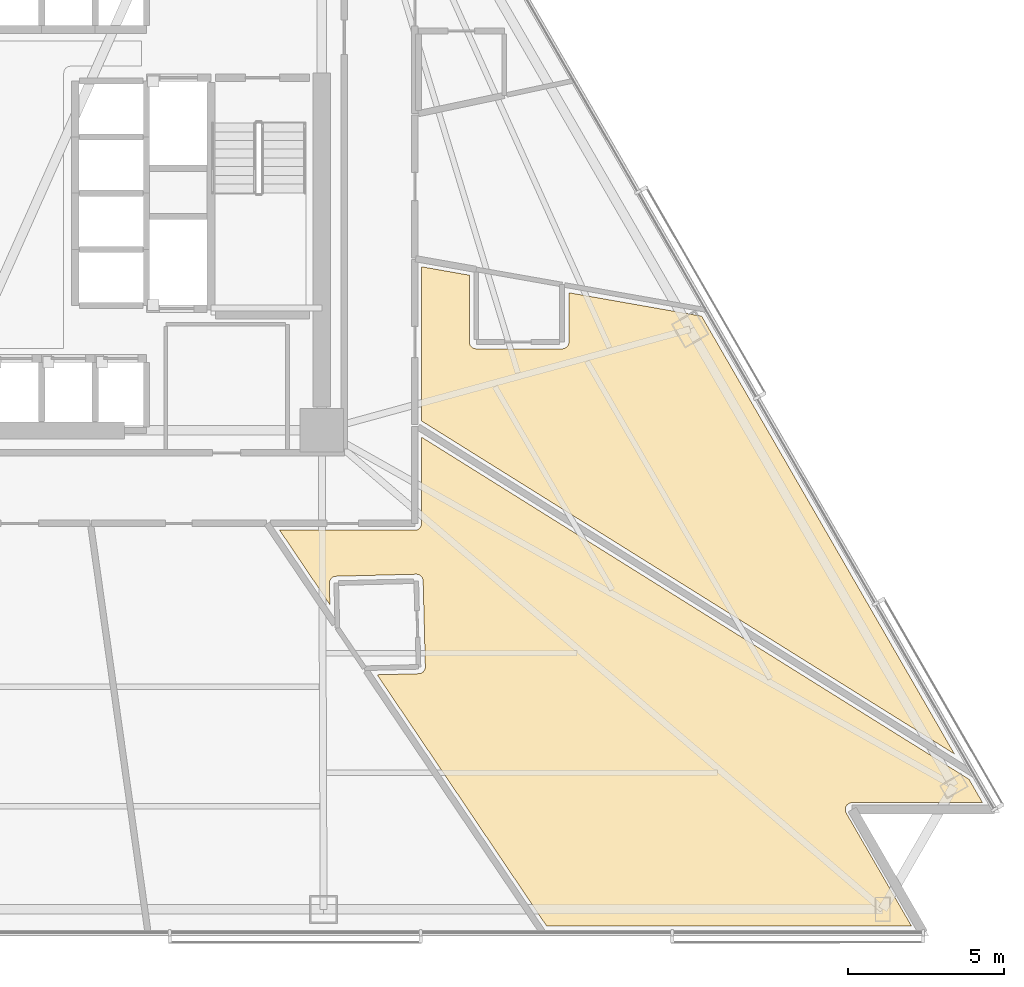
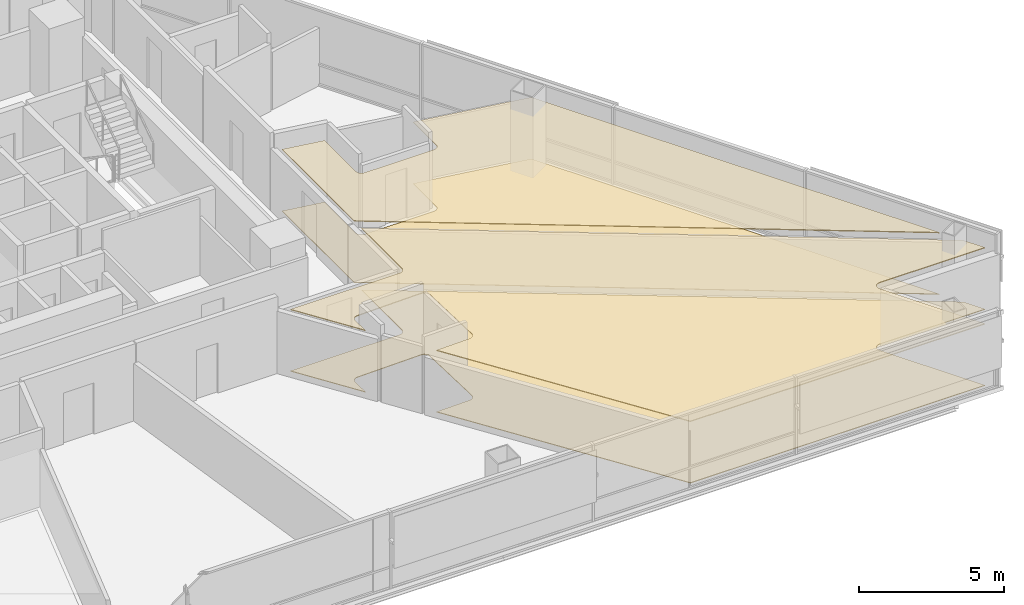
# One storey, part 16 of 17: 4 coverings.
"""IFC4 building model written with IfcOpenShell, lengths in metres."""

from ifc_helpers import new_model, si_unit, direction, frame, origin, place, context, subcontext, project, spatial, polyline, outline, extrude, material, layer, layer_set, type_object, element, save


model = new_model("IFC4")

# Units and contexts
model_context = context("Model", 3, precision=1e-05, world=origin(), true_north=direction((0.0, 1.0)))
body_context = subcontext(model_context, "Body", "Model", "MODEL_VIEW")
ifc_project = project(units=[si_unit("LENGTHUNIT", "METRE"), si_unit("AREAUNIT", "SQUARE_METRE"), si_unit("VOLUMEUNIT", "CUBIC_METRE"), si_unit("PLANEANGLEUNIT", "RADIAN"), si_unit("MASSUNIT", "GRAM", prefix="KILO")], contexts=[model_context])

# Site, building, storey
site_placement = place(None, origin())
site = spatial("IfcSite", under=ifc_project, at=site_placement, CompositionType="ELEMENT")
building_placement = place(site_placement, origin())
building = spatial("IfcBuilding", under=site, at=building_placement, Name="Tharavind Bronze Gate", CompositionType="ELEMENT")
storey_placement = place(building_placement, frame((0.0, 0.0, 35.25)))
storey = spatial("IfcBuildingStorey", under=building, at=storey_placement, Name="L07", CompositionType="ELEMENT", Elevation=35.25)

# Coverings
ifc_material_1 = material(Name="Engineered Oak & Carpet Tile", Category="wood")
ifc_layer_1 = layer(ifc_material_1, 0.02490234375)
ifc_layer_set_1 = layer_set([ifc_layer_1], Name="Engineered Oak & Carpet Tile")
covering_type_1 = type_object("IfcCoveringType", Name="ENGINEERED TIMBER FLOORING", PredefinedType="FLOORING", material=ifc_layer_set_1)
covering_1_placement = place(storey_placement, origin())
element("IfcCovering", 1, at=covering_1_placement, inside=storey, type_object=covering_type_1, Name="L07-RM-13 floor finish", PredefinedType="FLOORING", context=body_context, shape_type="SweptSolid", body=[
    extrude(outline(polyline([(9.160888671875, -13.18798828125), (9.14306640625, -12.5009765625), (9.143798828125, -12.4794921875), (9.146240234375, -12.4580078125), (9.15087890625, -12.43701171875), (9.15771484375, -12.41650390625), (9.16650390625, -12.396728515625), (9.177001953125, -12.3779296875), (9.189453125, -12.360107421875), (9.20361328125, -12.343994140625), (9.21923828125, -12.3291015625), (9.236083984375, -12.315673828125), (9.25439453125, -12.30419921875), (9.273681640625, -12.29443359375), (9.293701171875, -12.28662109375), (9.314697265625, -12.28076171875), (9.3359375, -12.277099609375), (9.357421875, -12.275390625), (11.921875, -12.20947265625), (11.943603515625, -12.2099609375), (11.96484375, -12.212646484375), (11.986083984375, -12.21728515625), (12.006591796875, -12.22412109375), (12.0263671875, -12.232666015625), (12.045166015625, -12.243408203125), (12.062744140625, -12.255859375), (12.0791015625, -12.269775390625), (12.093994140625, -12.285400390625), (12.107421875, -12.302490234375), (12.118896484375, -12.32080078125), (12.128662109375, -12.340087890625), (12.136474609375, -12.360107421875), (12.14208984375, -12.380859375), (12.14599609375, -12.402099609375), (12.1474609375, -12.423583984375), (12.21826171875, -15.1728515625), (12.2177734375, -15.1943359375), (12.215087890625, -15.2158203125), (12.21044921875, -15.23681640625), (12.20361328125, -15.25732421875), (12.195068359375, -15.277099609375), (12.184326171875, -15.2958984375), (12.171875, -15.313720703125), (12.157958984375, -15.330078125), (12.14208984375, -15.344970703125), (12.125244140625, -15.358154296875), (12.10693359375, -15.36962890625), (12.087646484375, -15.37939453125), (12.067626953125, -15.38720703125), (12.046875, -15.39306640625), (12.025390625, -15.396728515625), (12.00390625, -15.3984375), (10.6748046875, -15.4326171875), (16.102783203125, -23.47998046875), (27.794677734375, -23.47998046875), (25.70556640625, -19.861328125), (25.7001953125, -19.851806640625), (25.7001953125, -19.851318359375), (25.691162109375, -19.831298828125), (25.68408203125, -19.810546875), (25.67919921875, -19.7890625), (25.676513671875, -19.767333984375), (25.67578125, -19.745361328125), (25.677490234375, -19.7236328125), (25.681396484375, -19.701904296875), (25.687255859375, -19.680908203125), (25.6953125, -19.660400390625), (25.705322265625, -19.640869140625), (25.71728515625, -19.62255859375), (25.73095703125, -19.60546875), (25.74609375, -19.589599609375), (25.762939453125, -19.57568359375), (25.781005859375, -19.563232421875), (25.80029296875, -19.552734375), (25.820556640625, -19.544189453125), (25.841552734375, -19.53759765625), (25.863037109375, -19.533447265625), (25.885009765625, -19.53125), (25.885498046875, -19.53125), (25.896484375, -19.531005859375), (30.07470703125, -19.531005859375), (29.642333984375, -18.781982421875), (12.10009765625, -7.8203125), (12.10009765625, -10.579345703125), (12.099609375, -10.590087890625), (12.099609375, -10.5908203125), (12.09765625, -10.6123046875), (12.093505859375, -10.63330078125), (12.087158203125, -10.654052734375), (12.078857421875, -10.674072265625), (12.068603515625, -10.693115234375), (12.056640625, -10.7109375), (12.04296875, -10.727783203125), (12.027587890625, -10.742919921875), (12.010986328125, -10.756591796875), (11.9931640625, -10.768798828125), (11.97412109375, -10.77880859375), (11.9541015625, -10.787109375), (11.933349609375, -10.79345703125), (11.912353515625, -10.797607421875), (11.890869140625, -10.7998046875), (11.89013671875, -10.7998046875), (11.87939453125, -10.800048828125), (7.550048828125, -10.800048828125), (9.160888671875, -13.18798828125)])), origin(), (0.0, 0.0, 1.0), 0.02490234375),
])
covering_2_placement = place(storey_placement, origin())
element("IfcCovering", 2, at=covering_2_placement, inside=storey, type_object=covering_type_1, Name="L07-RM-14 floor finish", PredefinedType="FLOORING", context=body_context, shape_type="SweptSolid", body=[
    extrude(outline(polyline([(12.10009765625, -7.301513671875), (29.173828125, -17.970458984375), (21.07275390625, -3.939208984375), (16.820068359375, -3.189208984375), (16.820068359375, -4.765869140625), (16.81884765625, -4.78759765625), (16.81591796875, -4.808837890625), (16.810546875, -4.829833984375), (16.80322265625, -4.85009765625), (16.7939453125, -4.86962890625), (16.782958984375, -4.88818359375), (16.77001953125, -4.905517578125), (16.755615234375, -4.92138671875), (16.739501953125, -4.93603515625), (16.72216796875, -4.94873046875), (16.70361328125, -4.9599609375), (16.68408203125, -4.96923828125), (16.663818359375, -4.9765625), (16.642822265625, -4.981689453125), (16.62158203125, -4.98486328125), (16.60009765625, -4.98583984375), (13.85009765625, -4.98583984375), (13.828369140625, -4.98486328125), (13.80712890625, -4.981689453125), (13.7861328125, -4.9765625), (13.765869140625, -4.96923828125), (13.746337890625, -4.9599609375), (13.727783203125, -4.94873046875), (13.71044921875, -4.93603515625), (13.6943359375, -4.92138671875), (13.679931640625, -4.905517578125), (13.6669921875, -4.88818359375), (13.656005859375, -4.86962890625), (13.646728515625, -4.85009765625), (13.639404296875, -4.829833984375), (13.63427734375, -4.808837890625), (13.631103515625, -4.78759765625), (13.6298828125, -4.765869140625), (13.6298828125, -2.626708984375), (12.10009765625, -2.35693359375), (12.10009765625, -7.301513671875)])), origin(), (0.0, 0.0, 1.0), 0.02490234375),
])
ifc_material_2 = material(Name="Acoustic Gypsum Board", Category="gypsum")
ifc_layer_2 = layer(ifc_material_2, 0.030029296875)
ifc_layer_set_2 = layer_set([ifc_layer_2], Name="Acoustic Gypsum Board")
covering_type_2 = type_object("IfcCoveringType", Name="GYPSUM SUSPENDED CEILING", PredefinedType="CEILING", material=ifc_layer_set_2)
covering_3_placement = place(storey_placement, frame((0.0, 0.0, 2.574951171875)))
element("IfcCovering", 3, at=covering_3_placement, inside=storey, type_object=covering_type_2, Name="L07-RM-13 suspended ceiling", PredefinedType="CEILING", context=body_context, shape_type="SweptSolid", body=[
    extrude(outline(polyline([(9.160888671875, -13.18798828125), (9.14306640625, -12.5009765625), (9.143798828125, -12.4794921875), (9.146240234375, -12.4580078125), (9.15087890625, -12.43701171875), (9.15771484375, -12.41650390625), (9.16650390625, -12.396728515625), (9.177001953125, -12.3779296875), (9.189453125, -12.360107421875), (9.20361328125, -12.343994140625), (9.21923828125, -12.3291015625), (9.236083984375, -12.315673828125), (9.25439453125, -12.30419921875), (9.273681640625, -12.29443359375), (9.293701171875, -12.28662109375), (9.314697265625, -12.28076171875), (9.3359375, -12.277099609375), (9.357421875, -12.275390625), (11.921875, -12.20947265625), (11.943603515625, -12.2099609375), (11.96484375, -12.212646484375), (11.986083984375, -12.21728515625), (12.006591796875, -12.22412109375), (12.0263671875, -12.232666015625), (12.045166015625, -12.243408203125), (12.062744140625, -12.255859375), (12.0791015625, -12.269775390625), (12.093994140625, -12.285400390625), (12.107421875, -12.302490234375), (12.118896484375, -12.32080078125), (12.128662109375, -12.340087890625), (12.136474609375, -12.360107421875), (12.14208984375, -12.380859375), (12.14599609375, -12.402099609375), (12.1474609375, -12.423583984375), (12.21826171875, -15.1728515625), (12.2177734375, -15.1943359375), (12.215087890625, -15.2158203125), (12.21044921875, -15.23681640625), (12.20361328125, -15.25732421875), (12.195068359375, -15.277099609375), (12.184326171875, -15.2958984375), (12.171875, -15.313720703125), (12.157958984375, -15.330078125), (12.14208984375, -15.344970703125), (12.125244140625, -15.358154296875), (12.10693359375, -15.36962890625), (12.087646484375, -15.37939453125), (12.067626953125, -15.38720703125), (12.046875, -15.39306640625), (12.025390625, -15.396728515625), (12.00390625, -15.3984375), (10.6748046875, -15.4326171875), (16.102783203125, -23.47998046875), (27.794677734375, -23.47998046875), (25.70556640625, -19.861328125), (25.7001953125, -19.851806640625), (25.7001953125, -19.851318359375), (25.691162109375, -19.831298828125), (25.68408203125, -19.810546875), (25.67919921875, -19.7890625), (25.676513671875, -19.767333984375), (25.67578125, -19.745361328125), (25.677490234375, -19.7236328125), (25.681396484375, -19.701904296875), (25.687255859375, -19.680908203125), (25.6953125, -19.660400390625), (25.705322265625, -19.640869140625), (25.71728515625, -19.62255859375), (25.73095703125, -19.60546875), (25.74609375, -19.589599609375), (25.762939453125, -19.57568359375), (25.781005859375, -19.563232421875), (25.80029296875, -19.552734375), (25.820556640625, -19.544189453125), (25.841552734375, -19.53759765625), (25.863037109375, -19.533447265625), (25.885009765625, -19.53125), (25.885498046875, -19.53125), (25.896484375, -19.531005859375), (30.07470703125, -19.531005859375), (29.642333984375, -18.781982421875), (12.10009765625, -7.8203125), (12.10009765625, -10.579345703125), (12.099609375, -10.590087890625), (12.099609375, -10.5908203125), (12.09765625, -10.6123046875), (12.093505859375, -10.63330078125), (12.087158203125, -10.654052734375), (12.078857421875, -10.674072265625), (12.068603515625, -10.693115234375), (12.056640625, -10.7109375), (12.04296875, -10.727783203125), (12.027587890625, -10.742919921875), (12.010986328125, -10.756591796875), (11.9931640625, -10.768798828125), (11.97412109375, -10.77880859375), (11.9541015625, -10.787109375), (11.933349609375, -10.79345703125), (11.912353515625, -10.797607421875), (11.890869140625, -10.7998046875), (11.89013671875, -10.7998046875), (11.87939453125, -10.800048828125), (7.550048828125, -10.800048828125), (9.160888671875, -13.18798828125)])), origin(), (0.0, 0.0, 1.0), 0.03515625),
])
covering_4_placement = place(storey_placement, frame((0.0, 0.0, 2.574951171875)))
element("IfcCovering", 4, at=covering_4_placement, inside=storey, type_object=covering_type_2, Name="L07-RM-14 suspended ceiling", PredefinedType="CEILING", context=body_context, shape_type="SweptSolid", body=[
    extrude(outline(polyline([(12.10009765625, -7.301513671875), (29.173828125, -17.970458984375), (21.07275390625, -3.939208984375), (16.820068359375, -3.189208984375), (16.820068359375, -4.765869140625), (16.81884765625, -4.78759765625), (16.81591796875, -4.808837890625), (16.810546875, -4.829833984375), (16.80322265625, -4.85009765625), (16.7939453125, -4.86962890625), (16.782958984375, -4.88818359375), (16.77001953125, -4.905517578125), (16.755615234375, -4.92138671875), (16.739501953125, -4.93603515625), (16.72216796875, -4.94873046875), (16.70361328125, -4.9599609375), (16.68408203125, -4.96923828125), (16.663818359375, -4.9765625), (16.642822265625, -4.981689453125), (16.62158203125, -4.98486328125), (16.60009765625, -4.98583984375), (13.85009765625, -4.98583984375), (13.828369140625, -4.98486328125), (13.80712890625, -4.981689453125), (13.7861328125, -4.9765625), (13.765869140625, -4.96923828125), (13.746337890625, -4.9599609375), (13.727783203125, -4.94873046875), (13.71044921875, -4.93603515625), (13.6943359375, -4.92138671875), (13.679931640625, -4.905517578125), (13.6669921875, -4.88818359375), (13.656005859375, -4.86962890625), (13.646728515625, -4.85009765625), (13.639404296875, -4.829833984375), (13.63427734375, -4.808837890625), (13.631103515625, -4.78759765625), (13.6298828125, -4.765869140625), (13.6298828125, -2.626708984375), (12.10009765625, -2.35693359375), (12.10009765625, -7.301513671875)])), origin(), (0.0, 0.0, 1.0), 0.03515625),
])

save(model, "model.ifc")
